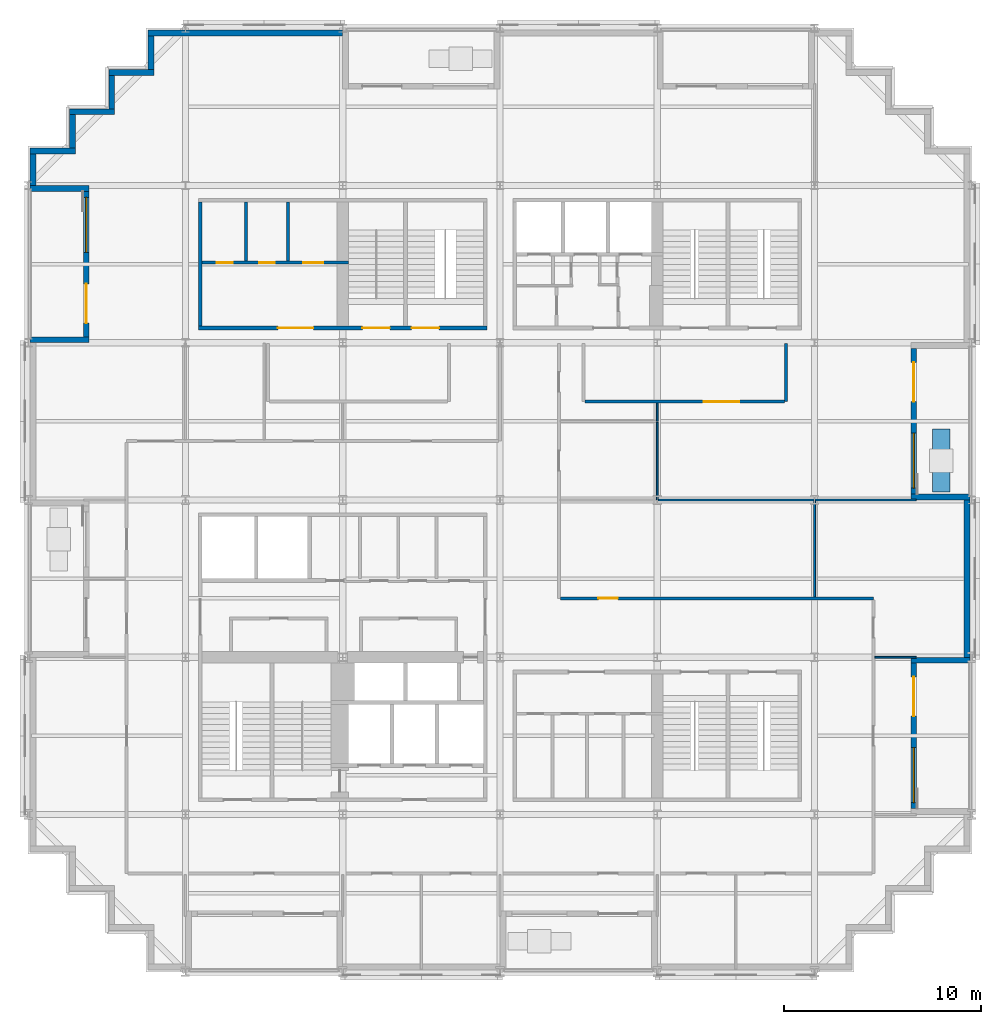
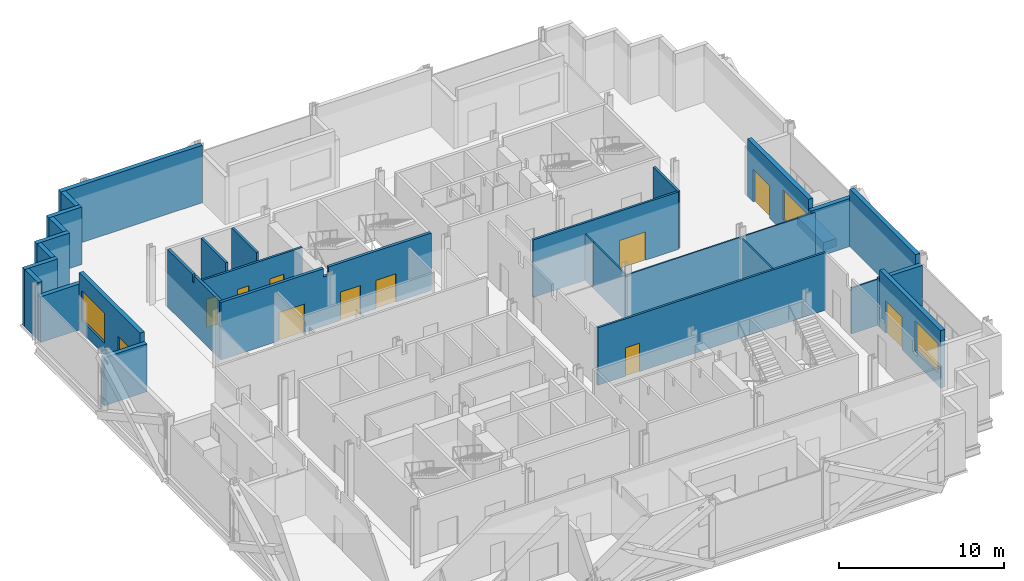
# One storey, part 8 of 14: 31 walls, 11 doors, 3 windows, 14 openings.
"""IFC4 building model written with IfcOpenShell, lengths in metres."""

import ifcopenshell
import ifcopenshell.guid

model = None  # the IFC model being written
_history = None  # IfcOwnerHistory: only IFC2X3 demands one
_inside = {}  # id of a spatial element -> (the spatial element, [elements in it])
_under = {}  # id of a project, library or spatial element -> (it, [spatial elements below it])
_declared = {}  # id of a project -> (the project, [libraries it declares])
_typed = {}  # id of a type object -> (the type object, [elements of that type])
_made_of = {}  # id of a material, layer set ... -> (it, [elements and type objects made of it])


def new_model(schema):
    """Start an empty IFC model of exactly this schema.

    Asked for "IFC4X3", IfcOpenShell would pick the latest addendum, in which some entities
    have other attributes; the version numbers below select the first issue.
    IFC2X3 requires an IfcOwnerHistory on every rooted entity: one is made here for all.
    """
    global model, _history
    if schema == "IFC4X3":
        model = ifcopenshell.file(schema_version=(4, 3, 0, 0))
    else:
        model = ifcopenshell.file(schema=schema)
    _inside.clear()
    _under.clear()
    _declared.clear()
    _typed.clear()
    _made_of.clear()
    _history = None
    if model.schema == "IFC2X3":
        org = make("IfcOrganization", Name="unknown")
        user = make(
            "IfcPersonAndOrganization",
            ThePerson=make("IfcPerson", FamilyName="unknown"),
            TheOrganization=org,
        )
        app = make(
            "IfcApplication",
            ApplicationDeveloper=org,
            Version="unknown",
            ApplicationFullName="unknown",
            ApplicationIdentifier="unknown",
        )
        _history = make(
            "IfcOwnerHistory",
            OwningUser=user,
            OwningApplication=app,
            ChangeAction="ADDED",
            CreationDate=0,
        )
    return model


def make(cls, **values):
    """One entity of the class cls with the attributes given. An attribute that is None is left unset."""
    return model.create_entity(
        cls, **{name: value for name, value in values.items() if value is not None}
    )


def rooted(cls, **values):
    """An entity with a GlobalId (a new one), such as an element, a storey or a relation."""
    return make(cls, GlobalId=ifcopenshell.guid.new(), OwnerHistory=_history, **values)


def si_unit(unit_type, name, prefix=None):
    """IfcSIUnit, for example si_unit("LENGTHUNIT", "METRE", prefix="MILLI")."""
    return make("IfcSIUnit", UnitType=unit_type, Prefix=prefix, Name=name)


def assignment(units):
    """IfcUnitAssignment: the units of a project."""
    return None if units is None else make("IfcUnitAssignment", Units=units)


def point(xyz):
    """IfcCartesianPoint."""
    return None if xyz is None else make("IfcCartesianPoint", Coordinates=xyz)


def direction(xyz):
    """IfcDirection."""
    return None if xyz is None else make("IfcDirection", DirectionRatios=xyz)


def frame(location, z_axis=None, x_axis=None):
    """IfcAxis2Placement3D, a coordinate frame: its origin and axes. An axis left out is left unset."""
    return make(
        "IfcAxis2Placement3D",
        Location=point(location),
        Axis=direction(z_axis),
        RefDirection=direction(x_axis),
    )


def frame_2d(location, x_axis=None):
    """IfcAxis2Placement2D, a coordinate frame in the plane: its origin and x axis."""
    return make(
        "IfcAxis2Placement2D", Location=point(location), RefDirection=direction(x_axis)
    )


def origin():
    """The frame at (0, 0, 0) with its axes left unset."""
    return frame((0.0, 0.0, 0.0))


def place(relative_to, where):
    """IfcLocalPlacement: puts the frame where relative to a parent placement (None: the world)."""
    return make(
        "IfcLocalPlacement", PlacementRelTo=relative_to, RelativePlacement=where
    )


def context(
    kind, dimensions, precision=None, world=None, true_north=None, identifier=None
):
    """IfcGeometricRepresentationContext, for example the 3D "Model" context."""
    return make(
        "IfcGeometricRepresentationContext",
        ContextIdentifier=identifier,
        ContextType=kind,
        CoordinateSpaceDimension=dimensions,
        Precision=precision,
        WorldCoordinateSystem=world,
        TrueNorth=true_north,
    )


def subcontext(parent, identifier, kind, view, scale=None):
    """IfcGeometricRepresentationSubContext, for example "Body" below "Model"."""
    return make(
        "IfcGeometricRepresentationSubContext",
        ContextIdentifier=identifier,
        ContextType=kind,
        ParentContext=parent,
        TargetScale=scale,
        TargetView=view,
    )


def project(units=None, contexts=None):
    """IfcProject with its units and contexts."""
    return rooted(
        "IfcProject",
        Name="project",
        RepresentationContexts=contexts,
        UnitsInContext=assignment(units),
    )


def spatial(cls, under=None, at=None, **own):
    """A site, building, storey or space (cls), placed at a placement, below another one or the project."""
    s = rooted(cls, ObjectPlacement=at, **own)
    if under is not None:
        _under.setdefault(under.id(), (under, []))[1].append(s)
    return s


def polyline(points):
    """IfcPolyline through the points."""
    return make("IfcPolyline", Points=[point(p) for p in points])


def profile(cls, at=None, kind="AREA", **sizes):
    """A parametric profile (cls). Its sizes go by their IFC names, for example OverallWidth=200.0."""
    return make(cls, ProfileType=kind, Position=at, **sizes)


def rectangle(**sizes):
    """IfcRectangleProfileDef."""
    return profile("IfcRectangleProfileDef", **sizes)


def outline(outer, holes=None, kind="AREA"):
    """IfcArbitraryClosedProfileDef: a profile drawn as a closed curve; with holes, ...WithVoids."""
    if holes is None:
        return make("IfcArbitraryClosedProfileDef", ProfileType=kind, OuterCurve=outer)
    return make(
        "IfcArbitraryProfileDefWithVoids",
        ProfileType=kind,
        OuterCurve=outer,
        InnerCurves=holes,
    )


def extrude(swept, where, along, depth):
    """IfcExtrudedAreaSolid: the profile swept, set in the frame where, extruded along a direction by depth."""
    return make(
        "IfcExtrudedAreaSolid",
        SweptArea=swept,
        Position=where,
        ExtrudedDirection=direction(along),
        Depth=depth,
    )


def shape(context_of_items, identifier, shape_type, items):
    """IfcShapeRepresentation: the items that make up one representation, for example the "Body"."""
    return make(
        "IfcShapeRepresentation",
        ContextOfItems=context_of_items,
        RepresentationIdentifier=identifier,
        RepresentationType=shape_type,
        Items=items,
    )


def material(Name=None, Category=None):
    """IfcMaterial."""
    return make("IfcMaterial", Name=Name, Category=Category)


def layer(
    of_material, thickness, ventilated=None, Name=None, Category=None, Priority=None
):
    """IfcMaterialLayer: one layer of a wall or slab, of a material (None: an air gap)."""
    return make(
        "IfcMaterialLayer",
        Material=of_material,
        LayerThickness=thickness,
        IsVentilated=ventilated,
        Name=Name,
        Category=Category,
        Priority=Priority,
    )


def layer_set(layers, Name=None):
    """IfcMaterialLayerSet."""
    return make("IfcMaterialLayerSet", MaterialLayers=layers, LayerSetName=Name)


def made_of(thing, what):
    """Note that an element or type object is made of a material, layer set ...; save() writes the relation."""
    if what is not None:
        _made_of.setdefault(what.id(), (what, []))[1].append(thing)
    return thing


def type_object(cls, material=None, **own):
    """A type object (cls), such as IfcWallType, which elements share."""
    return made_of(rooted(cls, **own), material)


def element(
    cls,
    number,
    at=None,
    inside=None,
    cuts=None,
    type_object=None,
    material=None,
    context=None,
    identifier="Body",
    shape_type=None,
    held_by="IfcProductDefinitionShape",
    body=None,
    shapes=None,
    **own,
):
    """One element of the class cls, such as IfcWall. Its Tag is "e" and its number.

    at: its placement. inside: the storey or other place that contains it. cuts: it is an
    opening in that element (IfcRelVoidsElement). A single representation is given by context,
    identifier, shape_type and body (its items); several are given by shapes. held_by: the class
    of the entity that holds the representations. save() writes the other relations.
    """
    e = rooted(cls, Tag="e%d" % number, ObjectPlacement=at, **own)
    if body is not None:
        shapes = [shape(context, identifier, shape_type, body)]
    if shapes is not None:
        e.Representation = make(held_by, Representations=shapes)
    if inside is not None:
        _inside.setdefault(inside.id(), (inside, []))[1].append(e)
    if cuts is not None:
        rooted(
            "IfcRelVoidsElement", RelatingBuildingElement=cuts, RelatedOpeningElement=e
        )
    if type_object is not None:
        _typed.setdefault(type_object.id(), (type_object, []))[1].append(e)
    return made_of(e, material)


def fill(opening, filler):
    """IfcRelFillsElement: the door or window that sits in an opening."""
    return rooted(
        "IfcRelFillsElement",
        RelatingOpeningElement=opening,
        RelatedBuildingElement=filler,
    )


def aggregate(whole, parts):
    """IfcRelAggregates: a whole, such as a stair, and the parts it consists of."""
    return rooted("IfcRelAggregates", RelatingObject=whole, RelatedObjects=parts)


def save(model, path):
    """Write the relations noted so far, then the file.

    IfcRelAggregates (storeys below a building ...), IfcRelContainedInSpatialStructure (elements
    in a storey), IfcRelDefinesByType, IfcRelAssociatesMaterial and IfcRelDeclares: one each for
    every whole, place, type object, material and project.
    """
    for whole, parts in _under.values():
        aggregate(whole, parts)
    for where, things in _inside.values():
        rooted(
            "IfcRelContainedInSpatialStructure",
            RelatedElements=things,
            RelatingStructure=where,
        )
    for kind, things in _typed.values():
        rooted("IfcRelDefinesByType", RelatedObjects=things, RelatingType=kind)
    for what, things in _made_of.values():
        rooted("IfcRelAssociatesMaterial", RelatedObjects=things, RelatingMaterial=what)
    for by, libraries in _declared.values():
        rooted("IfcRelDeclares", RelatingContext=by, RelatedDefinitions=libraries)
    model.write(path)


model = new_model("IFC4")

# Units and contexts
model_context = context("Model", 3, precision=1e-05, world=origin(), true_north=direction((0.0, 1.0)))
body_context = subcontext(model_context, "Body", "Model", "MODEL_VIEW")
ifc_project = project(units=[si_unit("LENGTHUNIT", "METRE"), si_unit("AREAUNIT", "SQUARE_METRE"), si_unit("VOLUMEUNIT", "CUBIC_METRE"), si_unit("PLANEANGLEUNIT", "RADIAN"), si_unit("MASSUNIT", "GRAM", prefix="KILO")], contexts=[model_context])

# Site, building, storey
site_placement = place(None, origin())
site = spatial("IfcSite", under=ifc_project, at=site_placement, CompositionType="ELEMENT")
building_placement = place(site_placement, origin())
building = spatial("IfcBuilding", under=site, at=building_placement, Name="Immortelle Media Tower", CompositionType="ELEMENT")
storey_placement = place(building_placement, frame((0.0, 0.0, 48.0)))
storey = spatial("IfcBuildingStorey", under=building, at=storey_placement, Name="L07", CompositionType="ELEMENT", Elevation=48.0)

# Wall, openings, doors
ifc_material_1 = material(Name="Fire-rated gypsum board", Category="gypsum")
ifc_layer_1 = layer(ifc_material_1, 0.02490234375)
ifc_material_2 = material(Name="Steel ASTM A653 SS Gr 50 stud frame with mineral wool", Category="steel")
ifc_layer_2 = layer(ifc_material_2, 0.10009765625)
ifc_layer_3 = layer(ifc_material_1, 0.02490234375)
ifc_layer_set_1 = layer_set([ifc_layer_1, ifc_layer_2, ifc_layer_3], Name="Steel ASTM A653 SS Gr 50 stud frame with mineral wool")
wall_type_1 = type_object("IfcWallType", Name="Core partition 150", PredefinedType="PARTITIONING", material=ifc_layer_set_1)
wall_1_placement = place(storey_placement, frame((8.85009765625, 36.074951171875, 0.0), z_axis=(0.0, 0.0, 1.0), x_axis=(1.0, 0.0, 0.0)))
wall_1 = element("IfcWall", 1, at=wall_1_placement, inside=storey, type_object=wall_type_1, Name="Core partition NW", PredefinedType="PARTITIONING", context=body_context, shape_type="SweptSolid", body=[
    extrude(rectangle(XDim=7.449951171875, YDim=0.14990234375, at=frame_2d((3.72509765625, 0.0))), origin(), (0.0, 0.0, 1.0), 3.632080078125),
])
opening_1_placement = place(wall_1_placement, frame((0.75, 0.0, 0.0)))
opening_1 = element("IfcOpeningElement", 2, at=opening_1_placement, cuts=wall_1, Name="Opening N2-K024", PredefinedType="OPENING", context=body_context, shape_type="SweptSolid", body=[
    extrude(rectangle(XDim=0.800048828125, YDim=2.10009765625, at=frame_2d((0.39990234375, 1.050048828125))), frame((0.0, 0.0849609375, 0.0), z_axis=(0.0, -1.0, 0.0), x_axis=(1.0, 0.0, 0.0)), (0.0, 0.0, 1.0), 0.169921875),
])
opening_2_placement = place(wall_1_placement, frame((2.89990234375, 0.0, 0.0)))
opening_2 = element("IfcOpeningElement", 3, at=opening_2_placement, cuts=wall_1, Name="Opening N2-K025", PredefinedType="OPENING", context=body_context, shape_type="SweptSolid", body=[
    extrude(rectangle(XDim=0.800048828125, YDim=2.10009765625, at=frame_2d((0.39990234375, 1.050048828125))), frame((0.0, 0.0849609375, 0.0), z_axis=(0.0, -1.0, 0.0), x_axis=(1.0, 0.0, 0.0)), (0.0, 0.0, 1.0), 0.169921875),
])
opening_3_placement = place(wall_1_placement, frame((5.14990234375, 0.0, 0.0)))
opening_3 = element("IfcOpeningElement", 4, at=opening_3_placement, cuts=wall_1, Name="Opening N2-K027", PredefinedType="OPENING", context=body_context, shape_type="SweptSolid", body=[
    extrude(rectangle(XDim=1.0, YDim=2.10009765625, at=frame_2d((0.5, 1.050048828125))), frame((0.0, 0.0849609375, 0.0), z_axis=(0.0, -1.0, 0.0), x_axis=(1.0, 0.0, 0.0)), (0.0, 0.0, 1.0), 0.169921875),
])
ifc_material_3 = material(Name="Timber", Category="wood")
door_type_1 = type_object("IfcDoorType", Name="Accessible toilet door 1000 x 2100", OperationType="NOTDEFINED", PredefinedType="NOTDEFINED", material=ifc_material_3)
door_1_placement = place(opening_3_placement, origin())
door_1 = element("IfcDoor", 5, at=door_1_placement, inside=storey, type_object=door_type_1, Name="Accessible toilet N2-K027", OperationType="SINGLE_SWING_RIGHT", OverallHeight=2.10009765625, OverallWidth=1.0, PredefinedType="NOTDEFINED", context=body_context, shape_type="SweptSolid", body=[
    extrude(rectangle(XDim=1.0, YDim=2.10009765625, at=frame_2d((0.5, 1.050048828125))), frame((0.0, 0.02490234375, 0.0), z_axis=(0.0, -1.0, 0.0), x_axis=(1.0, 0.0, 0.0)), (0.0, 0.0, 1.0), 0.050048828125),
])
fill(opening_3, door_1)
door_type_2 = type_object("IfcDoorType", Name="Toilet door 800 x 2100", OperationType="NOTDEFINED", PredefinedType="NOTDEFINED", material=ifc_material_3)
door_2_placement = place(opening_1_placement, origin())
door_2 = element("IfcDoor", 6, at=door_2_placement, inside=storey, type_object=door_type_2, Name="Toilet N2-K024", OperationType="SINGLE_SWING_RIGHT", OverallHeight=2.10009765625, OverallWidth=0.800048828125, PredefinedType="NOTDEFINED", context=body_context, shape_type="SweptSolid", body=[
    extrude(rectangle(XDim=0.800048828125, YDim=2.10009765625, at=frame_2d((0.39990234375, 1.050048828125))), frame((0.0, 0.02490234375, 0.0), z_axis=(0.0, -1.0, 0.0), x_axis=(1.0, 0.0, 0.0)), (0.0, 0.0, 1.0), 0.050048828125),
])
fill(opening_1, door_2)
door_3_placement = place(opening_2_placement, origin())
door_3 = element("IfcDoor", 7, at=door_3_placement, inside=storey, type_object=door_type_2, Name="Toilet N2-K025", OperationType="SINGLE_SWING_RIGHT", OverallHeight=2.10009765625, OverallWidth=0.800048828125, PredefinedType="NOTDEFINED", context=body_context, shape_type="SweptSolid", body=[
    extrude(rectangle(XDim=0.800048828125, YDim=2.10009765625, at=frame_2d((0.39990234375, 1.050048828125))), frame((0.0, 0.02490234375, 0.0), z_axis=(0.0, -1.0, 0.0), x_axis=(1.0, 0.0, 0.0)), (0.0, 0.0, 1.0), 0.050048828125),
])
fill(opening_2, door_3)

# Walls
for number, where, z_axis, x_axis, name in (
    (8, (11.074951171875, 36.14990234375, 0.0), (0.0, 0.0, 1.0), (0.0, 1.0, 0.0), "Core partition NW"),
    (9, (13.22509765625, 36.14990234375, 0.0), (0.0, 0.0, 1.0), (0.0, 1.0, 0.0), "Core partition NW"),
):
    element("IfcWall", number, at=place(storey_placement, frame(where, z_axis=z_axis, x_axis=x_axis)), inside=storey, type_object=wall_type_1, Name=name, PredefinedType="PARTITIONING", context=body_context, shape_type="SweptSolid", body=[
        extrude(rectangle(XDim=3.0, YDim=0.14990234375, at=frame_2d((1.5, 0.0))), origin(), (0.0, 0.0, 1.0), 4.25),
    ])
ifc_layer_4 = layer(ifc_material_1, 0.03759765625)
ifc_layer_5 = layer(ifc_material_2, 0.125)
ifc_layer_6 = layer(ifc_material_1, 0.03759765625)
ifc_layer_set_2 = layer_set([ifc_layer_4, ifc_layer_5, ifc_layer_6], Name="Steel ASTM A653 SS Gr 50 stud frame with mineral wool")
wall_type_2 = type_object("IfcWallType", Name="Core shaft wall 200", PredefinedType="PARTITIONING", material=ifc_layer_set_2)
wall_2_placement = place(storey_placement, frame((8.75, 32.85009765625, 0.0), z_axis=(0.0, 0.0, 1.0), x_axis=(0.0, 1.0, 0.0)))
element("IfcWall", 10, at=wall_2_placement, inside=storey, type_object=wall_type_2, Name="Core shaft wall NW", PredefinedType="PARTITIONING", context=body_context, shape_type="SweptSolid", body=[
    extrude(outline(polyline([(0.0, 0.0), (6.2998046875, 0.0), (6.300048828125, 4.25), (3.238525390625, 4.25), (3.237548828125, 3.7080078125), (3.0625, 3.7080078125), (3.0615234375, 4.25), (0.0, 4.25), (0.0, 0.0)])), frame((0.0, 0.10009765625, 0.0), z_axis=(0.0, -1.0, 0.0), x_axis=(1.0, 0.0, 0.0)), (0.0, 0.0, 1.0), 0.199951171875),
])

# Wall, opening, door
ifc_layer_7 = layer(ifc_material_1, 0.012451171875)
ifc_layer_8 = layer(ifc_material_2, 0.125)
ifc_layer_9 = layer(ifc_material_1, 0.012451171875)
ifc_layer_set_3 = layer_set([ifc_layer_7, ifc_layer_8, ifc_layer_9], Name="Steel ASTM A653 SS Gr 50 stud frame with mineral wool")
wall_type_3 = type_object("IfcWallType", Name="Corridor wall 150", PredefinedType="PARTITIONING", material=ifc_layer_set_3)
wall_3_placement = place(storey_placement, frame((27.074951171875, 19.0, 0.0), z_axis=(0.0, 0.0, 1.0), x_axis=(1.0, 0.0, 0.0)))
wall_3 = element("IfcWall", 11, at=wall_3_placement, inside=storey, type_object=wall_type_3, Name="Partition L07-013", PredefinedType="PARTITIONING", context=body_context, shape_type="SweptSolid", body=[
    extrude(rectangle(XDim=15.925048828125, YDim=0.14990234375, at=frame_2d((7.96240234375, 0.0))), origin(), (0.0, 0.0, 1.0), 4.25),
])
opening_4_placement = place(wall_3_placement, frame((1.925048828125, 0.0, 0.0)))
opening_4 = element("IfcOpeningElement", 12, at=opening_4_placement, cuts=wall_3, Name="Opening N2-F012", PredefinedType="OPENING", context=body_context, shape_type="SweptSolid", body=[
    extrude(rectangle(XDim=1.0, YDim=2.10009765625, at=frame_2d((0.5, 1.050048828125))), frame((0.0, 0.0849609375, 0.0), z_axis=(0.0, -1.0, 0.0), x_axis=(1.0, 0.0, 0.0)), (0.0, 0.0, 1.0), 0.169921875),
])
ifc_material_4 = material(Name="Timber veneered door leaf, galvanised steel frame ASTM A653", Category="steel")
door_type_3 = type_object("IfcDoorType", Name="Room door 1000 x 2100", OperationType="NOTDEFINED", PredefinedType="DOOR", material=ifc_material_4)
door_4_placement = place(opening_4_placement, origin())
door_4 = element("IfcDoor", 13, at=door_4_placement, inside=storey, type_object=door_type_3, Name="Door N2-F012", OperationType="SINGLE_SWING_LEFT", OverallHeight=2.10009765625, OverallWidth=1.0, PredefinedType="DOOR", context=body_context, shape_type="SweptSolid", body=[
    extrude(rectangle(XDim=1.0, YDim=2.10009765625, at=frame_2d((0.5, 1.050048828125))), frame((0.0, 0.02490234375, 0.0), z_axis=(0.0, -1.0, 0.0), x_axis=(1.0, 0.0, 0.0)), (0.0, 0.0, 1.0), 0.050048828125),
])
fill(opening_4, door_4)

wall_4_placement = place(storey_placement, frame((28.324951171875, 29.0, 0.0), z_axis=(0.0, 0.0, 1.0), x_axis=(1.0, 0.0, 0.0)))
wall_4 = element("IfcWall", 14, at=wall_4_placement, inside=storey, type_object=wall_type_3, Name="Partition L07-032", PredefinedType="PARTITIONING", context=body_context, shape_type="SweptSolid", body=[
    extrude(rectangle(XDim=10.150146484375, YDim=0.14990234375, at=frame_2d((5.0751953125, 0.0))), origin(), (0.0, 0.0, 1.0), 4.25),
])
opening_5_placement = place(wall_4_placement, frame((6.050048828125, 0.0, 0.0)))
opening_5 = element("IfcOpeningElement", 15, at=opening_5_placement, cuts=wall_4, Name="Opening N2-F018", PredefinedType="OPENING", context=body_context, shape_type="SweptSolid", body=[
    extrude(rectangle(XDim=1.800048828125, YDim=2.10009765625, at=frame_2d((0.89990234375, 1.050048828125))), frame((0.0, 0.0849609375, 0.0), z_axis=(0.0, -1.0, 0.0), x_axis=(1.0, 0.0, 0.0)), (0.0, 0.0, 1.0), 0.169921875),
])
door_type_4 = type_object("IfcDoorType", Name="Room door 1800 x 2100", OperationType="DOUBLE_DOOR_SINGLE_SWING", PredefinedType="DOOR", material=ifc_material_4)
door_5_placement = place(opening_5_placement, origin())
door_5 = element("IfcDoor", 16, at=door_5_placement, inside=storey, type_object=door_type_4, Name="Door N2-F018", OperationType="DOUBLE_DOOR_SINGLE_SWING", OverallHeight=2.10009765625, OverallWidth=1.800048828125, PredefinedType="DOOR", context=body_context, shape_type="SweptSolid", body=[
    extrude(rectangle(XDim=1.800048828125, YDim=2.10009765625, at=frame_2d((0.89990234375, 1.050048828125))), frame((0.0, 0.02490234375, 0.0), z_axis=(0.0, -1.0, 0.0), x_axis=(1.0, 0.0, 0.0)), (0.0, 0.0, 1.0), 0.050048828125),
])
fill(opening_5, door_5)

# Walls
wall_5_placement = place(storey_placement, frame((38.550048828125, 29.0, 0.0), z_axis=(0.0, 0.0, 1.0), x_axis=(0.0, 1.0, 0.0)))
element("IfcWall", 17, at=wall_5_placement, inside=storey, type_object=wall_type_3, Name="Partition L07-034", PredefinedType="PARTITIONING", context=body_context, shape_type="SweptSolid", body=[
    extrude(rectangle(XDim=2.969970703125, YDim=0.14990234375, at=frame_2d((1.48486328125, 0.0))), origin(), (0.0, 0.0, 1.0), 4.25),
])
ifc_material_5 = material(Name="Pale aluminium cladding panel", Category="aluminium")
ifc_layer_10 = layer(ifc_material_5, 0.030029296875)
ifc_layer_11 = layer(ifc_material_2, 0.257568359375)
ifc_material_6 = material(Name="Moisture-resistant gypsum board", Category="gypsum")
ifc_layer_12 = layer(ifc_material_6, 0.012451171875)
ifc_layer_set_4 = layer_set([ifc_layer_10, ifc_layer_11, ifc_layer_12], Name="Steel ASTM A653 SS Gr 50 stud frame with mineral wool")
wall_type_4 = type_object("IfcWallType", Name="Facade wall 300", PredefinedType="SOLIDWALL", material=ifc_layer_set_4)
wall_6_placement = place(storey_placement, frame((0.25, 41.60009765625, 0.0), z_axis=(0.0, 0.0, 1.0), x_axis=(0.0, -1.0, 0.0)))
element("IfcWall", 18, at=wall_6_placement, inside=storey, type_object=wall_type_4, Name="Facade wall L07 W0", PredefinedType="SOLIDWALL", context=body_context, shape_type="SweptSolid", body=[
    extrude(rectangle(XDim=1.60009765625, YDim=0.300048828125, at=frame_2d((0.800048828125, 0.0))), origin(), (0.0, 0.0, 1.0), 4.25),
])

# Wall, openings, door, window
wall_7_placement = place(storey_placement, frame((2.949951171875, 39.699951171875, 0.0), z_axis=(0.0, 0.0, 1.0), x_axis=(0.0, -1.0, 0.0)))
wall_7 = element("IfcWall", 19, at=wall_7_placement, inside=storey, type_object=wall_type_4, Name="Loggia wall L07 W0", PredefinedType="SOLIDWALL", context=body_context, shape_type="SweptSolid", body=[
    extrude(rectangle(XDim=7.39990234375, YDim=0.300048828125, at=frame_2d((3.699951171875, 0.0))), origin(), (0.0, 0.0, 1.0), 4.25),
])
opening_6_placement = place(wall_7_placement, frame((0.300048828125, 0.0, 0.89990234375)))
opening_6 = element("IfcOpeningElement", 20, at=opening_6_placement, cuts=wall_7, Name="Opening W1", PredefinedType="OPENING", context=body_context, shape_type="SweptSolid", body=[
    extrude(rectangle(XDim=2.800048828125, YDim=2.199951171875, at=frame_2d((1.39990234375, 1.10009765625))), frame((0.0, 0.159912109375, 0.0), z_axis=(0.0, -1.0, 0.0), x_axis=(1.0, 0.0, 0.0)), (0.0, 0.0, 1.0), 0.320068359375),
])
opening_7_placement = place(wall_7_placement, frame((4.699951171875, 0.0, 0.0)))
opening_7 = element("IfcOpeningElement", 21, at=opening_7_placement, cuts=wall_7, Name="Opening N2-E001", PredefinedType="OPENING", context=body_context, shape_type="SweptSolid", body=[
    extrude(rectangle(XDim=2.0, YDim=2.39990234375, at=frame_2d((1.0, 1.199951171875))), frame((0.0, 0.159912109375, 0.0), z_axis=(0.0, -1.0, 0.0), x_axis=(1.0, 0.0, 0.0)), (0.0, 0.0, 1.0), 0.320068359375),
])
ifc_material_7 = material(Name="Aluminium frame, glazed leaves", Category="aluminium")
door_type_5 = type_object("IfcDoorType", Name="Loggia door 2000 x 2400", OperationType="DOUBLE_DOOR_SINGLE_SWING", PredefinedType="DOOR", material=ifc_material_7)
door_6_placement = place(opening_7_placement, origin())
door_6 = element("IfcDoor", 22, at=door_6_placement, inside=storey, type_object=door_type_5, Name="Door N2-E001", OperationType="DOUBLE_DOOR_SINGLE_SWING", OverallHeight=2.39990234375, OverallWidth=2.0, PredefinedType="DOOR", context=body_context, shape_type="SweptSolid", body=[
    extrude(rectangle(XDim=2.0, YDim=2.39990234375, at=frame_2d((1.0, 1.199951171875))), frame((0.0, 0.02490234375, 0.0), z_axis=(0.0, -1.0, 0.0), x_axis=(1.0, 0.0, 0.0)), (0.0, 0.0, 1.0), 0.050048828125),
])
fill(opening_7, door_6)
ifc_material_8 = material(Name="Aluminium frame", Category="aluminium")
window_type = type_object("IfcWindowType", Name="Window 2800 x 2200", PartitioningType="SINGLE_PANEL", PredefinedType="WINDOW", material=ifc_material_8)
window_1_placement = place(opening_6_placement, origin())
window_1 = element("IfcWindow", 23, at=window_1_placement, inside=storey, type_object=window_type, Name="Window L07 L07-R0-B0", OverallHeight=2.199951171875, OverallWidth=2.800048828125, PartitioningType="SINGLE_PANEL", PredefinedType="WINDOW", context=body_context, shape_type="SweptSolid", body=[
    extrude(rectangle(XDim=2.800048828125, YDim=2.199951171875, at=frame_2d((1.39990234375, 1.10009765625))), frame((0.0, 0.030029296875, 0.0), z_axis=(0.0, -1.0, 0.0), x_axis=(1.0, 0.0, 0.0)), (0.0, 0.0, 1.0), 0.06005859375),
])
fill(opening_6, window_1)

# Walls
wall_8_placement = place(storey_placement, frame((0.10009765625, 39.85009765625, 0.0), z_axis=(0.0, 0.0, 1.0), x_axis=(1.0, 0.0, 0.0)))
element("IfcWall", 24, at=wall_8_placement, inside=storey, type_object=wall_type_4, Name="Loggia cheek wall L07 W", PredefinedType="SOLIDWALL", context=body_context, shape_type="SweptSolid", body=[
    extrude(rectangle(XDim=3.0, YDim=0.300048828125, at=frame_2d((1.5, 0.0))), origin(), (0.0, 0.0, 1.0), 3.389892578125),
])
wall_9_placement = place(storey_placement, frame((0.10009765625, 32.14990234375, 0.0), z_axis=(0.0, 0.0, 1.0), x_axis=(1.0, 0.0, 0.0)))
element("IfcWall", 25, at=wall_9_placement, inside=storey, type_object=wall_type_4, Name="Loggia cheek wall L07 W", PredefinedType="SOLIDWALL", context=body_context, shape_type="SweptSolid", body=[
    extrude(rectangle(XDim=3.0, YDim=0.300048828125, at=frame_2d((1.5, 0.0))), origin(), (0.0, 0.0, 1.0), 3.552978515625),
])

# Wall, openings, door, window
wall_10_placement = place(storey_placement, frame((45.050048828125, 8.300048828125, 0.0), z_axis=(0.0, 0.0, 1.0), x_axis=(0.0, 1.0, 0.0)))
wall_10 = element("IfcWall", 26, at=wall_10_placement, inside=storey, type_object=wall_type_4, Name="Loggia wall L07 E14", PredefinedType="SOLIDWALL", context=body_context, shape_type="SweptSolid", body=[
    extrude(rectangle(XDim=7.39990234375, YDim=0.300048828125, at=frame_2d((3.699951171875, 0.0))), origin(), (0.0, 0.0, 1.0), 4.25),
])
opening_8_placement = place(wall_10_placement, frame((0.300048828125, 0.0, 0.89990234375)))
opening_8 = element("IfcOpeningElement", 27, at=opening_8_placement, cuts=wall_10, Name="Opening W1", PredefinedType="OPENING", context=body_context, shape_type="SweptSolid", body=[
    extrude(rectangle(XDim=2.800048828125, YDim=2.199951171875, at=frame_2d((1.39990234375, 1.10009765625))), frame((0.0, 0.159912109375, 0.0), z_axis=(0.0, -1.0, 0.0), x_axis=(1.0, 0.0, 0.0)), (0.0, 0.0, 1.0), 0.320068359375),
])
opening_9_placement = place(wall_10_placement, frame((4.699951171875, 0.0, 0.0)))
opening_9 = element("IfcOpeningElement", 28, at=opening_9_placement, cuts=wall_10, Name="Opening N2-E005", PredefinedType="OPENING", context=body_context, shape_type="SweptSolid", body=[
    extrude(rectangle(XDim=2.0, YDim=2.39990234375, at=frame_2d((1.0, 1.199951171875))), frame((0.0, 0.159912109375, 0.0), z_axis=(0.0, -1.0, 0.0), x_axis=(1.0, 0.0, 0.0)), (0.0, 0.0, 1.0), 0.320068359375),
])
door_7_placement = place(opening_9_placement, origin())
door_7 = element("IfcDoor", 29, at=door_7_placement, inside=storey, type_object=door_type_5, Name="Door N2-E005", OperationType="DOUBLE_DOOR_SINGLE_SWING", OverallHeight=2.39990234375, OverallWidth=2.0, PredefinedType="DOOR", context=body_context, shape_type="SweptSolid", body=[
    extrude(rectangle(XDim=2.0, YDim=2.39990234375, at=frame_2d((1.0, 1.199951171875))), frame((0.0, 0.02490234375, 0.0), z_axis=(0.0, -1.0, 0.0), x_axis=(1.0, 0.0, 0.0)), (0.0, 0.0, 1.0), 0.050048828125),
])
fill(opening_9, door_7)
window_2_placement = place(opening_8_placement, origin())
window_2 = element("IfcWindow", 30, at=window_2_placement, inside=storey, type_object=window_type, Name="Window L07 L07-R14-B0", OverallHeight=2.199951171875, OverallWidth=2.800048828125, PartitioningType="SINGLE_PANEL", PredefinedType="WINDOW", context=body_context, shape_type="SweptSolid", body=[
    extrude(rectangle(XDim=2.800048828125, YDim=2.199951171875, at=frame_2d((1.39990234375, 1.10009765625))), frame((0.0, 0.030029296875, 0.0), z_axis=(0.0, -1.0, 0.0), x_axis=(1.0, 0.0, 0.0)), (0.0, 0.0, 1.0), 0.06005859375),
])
fill(opening_8, window_2)

# Walls
wall_11_placement = place(storey_placement, frame((47.89990234375, 15.85009765625, 0.0), z_axis=(0.0, 0.0, 1.0), x_axis=(-1.0, 0.0, 0.0)))
element("IfcWall", 31, at=wall_11_placement, inside=storey, type_object=wall_type_4, Name="Loggia cheek wall L07 E", PredefinedType="SOLIDWALL", context=body_context, shape_type="SweptSolid", body=[
    extrude(rectangle(XDim=3.0, YDim=0.300048828125, at=frame_2d((1.5, 0.0))), origin(), (0.0, 0.0, 1.0), 3.552978515625),
])
wall_12_placement = place(storey_placement, frame((47.75, 16.0, 0.0), z_axis=(0.0, 0.0, 1.0), x_axis=(0.0, 1.0, 0.0)))
element("IfcWall", 32, at=wall_12_placement, inside=storey, type_object=wall_type_4, Name="Facade wall L07 E14", PredefinedType="SOLIDWALL", context=body_context, shape_type="SweptSolid", body=[
    extrude(rectangle(XDim=8.0, YDim=0.300048828125, at=frame_2d((4.0, 0.0))), origin(), (0.0, 0.0, 1.0), 4.25),
])

# Wall, openings, door, window
wall_13_placement = place(storey_placement, frame((45.050048828125, 24.300048828125, 0.0), z_axis=(0.0, 0.0, 1.0), x_axis=(0.0, 1.0, 0.0)))
wall_13 = element("IfcWall", 33, at=wall_13_placement, inside=storey, type_object=wall_type_4, Name="Loggia wall L07 E14", PredefinedType="SOLIDWALL", context=body_context, shape_type="SweptSolid", body=[
    extrude(rectangle(XDim=7.39990234375, YDim=0.300048828125, at=frame_2d((3.699951171875, 0.0))), origin(), (0.0, 0.0, 1.0), 4.25),
])
opening_10_placement = place(wall_13_placement, frame((0.300048828125, 0.0, 0.89990234375)))
opening_10 = element("IfcOpeningElement", 34, at=opening_10_placement, cuts=wall_13, Name="Opening W1", PredefinedType="OPENING", context=body_context, shape_type="SweptSolid", body=[
    extrude(rectangle(XDim=2.800048828125, YDim=2.199951171875, at=frame_2d((1.39990234375, 1.10009765625))), frame((0.0, 0.159912109375, 0.0), z_axis=(0.0, -1.0, 0.0), x_axis=(1.0, 0.0, 0.0)), (0.0, 0.0, 1.0), 0.320068359375),
])
opening_11_placement = place(wall_13_placement, frame((4.699951171875, 0.0, 0.0)))
opening_11 = element("IfcOpeningElement", 35, at=opening_11_placement, cuts=wall_13, Name="Opening N2-E006", PredefinedType="OPENING", context=body_context, shape_type="SweptSolid", body=[
    extrude(rectangle(XDim=2.0, YDim=2.39990234375, at=frame_2d((1.0, 1.199951171875))), frame((0.0, 0.159912109375, 0.0), z_axis=(0.0, -1.0, 0.0), x_axis=(1.0, 0.0, 0.0)), (0.0, 0.0, 1.0), 0.320068359375),
])
door_8_placement = place(opening_11_placement, origin())
door_8 = element("IfcDoor", 36, at=door_8_placement, inside=storey, type_object=door_type_5, Name="Door N2-E006", OperationType="DOUBLE_DOOR_SINGLE_SWING", OverallHeight=2.39990234375, OverallWidth=2.0, PredefinedType="DOOR", context=body_context, shape_type="SweptSolid", body=[
    extrude(rectangle(XDim=2.0, YDim=2.39990234375, at=frame_2d((1.0, 1.199951171875))), frame((0.0, 0.02490234375, 0.0), z_axis=(0.0, -1.0, 0.0), x_axis=(1.0, 0.0, 0.0)), (0.0, 0.0, 1.0), 0.050048828125),
])
fill(opening_11, door_8)
window_3_placement = place(opening_10_placement, origin())
window_3 = element("IfcWindow", 37, at=window_3_placement, inside=storey, type_object=window_type, Name="Window L07 L07-R14-B2", OverallHeight=2.199951171875, OverallWidth=2.800048828125, PartitioningType="SINGLE_PANEL", PredefinedType="WINDOW", context=body_context, shape_type="SweptSolid", body=[
    extrude(rectangle(XDim=2.800048828125, YDim=2.199951171875, at=frame_2d((1.39990234375, 1.10009765625))), frame((0.0, 0.030029296875, 0.0), z_axis=(0.0, -1.0, 0.0), x_axis=(1.0, 0.0, 0.0)), (0.0, 0.0, 1.0), 0.06005859375),
])
fill(opening_10, window_3)

# Walls
wall_14_placement = place(storey_placement, frame((47.89990234375, 24.14990234375, 0.0), z_axis=(0.0, 0.0, 1.0), x_axis=(-1.0, 0.0, 0.0)))
element("IfcWall", 38, at=wall_14_placement, inside=storey, type_object=wall_type_4, Name="Loggia cheek wall L07 E", PredefinedType="SOLIDWALL", context=body_context, shape_type="SweptSolid", body=[
    extrude(rectangle(XDim=3.0, YDim=0.300048828125, at=frame_2d((1.5, 0.0))), origin(), (0.0, 0.0, 1.0), 3.552978515625),
])
wall_15_placement = place(storey_placement, frame((16.0, 47.75, 0.0), z_axis=(0.0, 0.0, 1.0), x_axis=(-1.0, 0.0, 0.0)))
element("IfcWall", 39, at=wall_15_placement, inside=storey, type_object=wall_type_4, Name="Facade wall L07 N21", PredefinedType="SOLIDWALL", context=body_context, shape_type="SweptSolid", body=[
    extrude(rectangle(XDim=9.89990234375, YDim=0.300048828125, at=frame_2d((4.949951171875, 0.0))), origin(), (0.0, 0.0, 1.0), 4.25),
])
wall_16_placement = place(storey_placement, frame((6.25, 47.60009765625, 0.0), z_axis=(0.0, 0.0, 1.0), x_axis=(0.0, -1.0, 0.0)))
element("IfcWall", 40, at=wall_16_placement, inside=storey, type_object=wall_type_4, Name="Facade wall L07 W22", PredefinedType="SOLIDWALL", context=body_context, shape_type="SweptSolid", body=[
    extrude(rectangle(XDim=1.7001953125, YDim=0.300048828125, at=frame_2d((0.85009765625, 0.0))), origin(), (0.0, 0.0, 1.0), 4.25),
])
wall_17_placement = place(storey_placement, frame((6.39990234375, 45.75, 0.0), z_axis=(0.0, 0.0, 1.0), x_axis=(-1.0, 0.0, 0.0)))
element("IfcWall", 41, at=wall_17_placement, inside=storey, type_object=wall_type_4, Name="Facade wall L07 N23", PredefinedType="SOLIDWALL", context=body_context, shape_type="SweptSolid", body=[
    extrude(rectangle(XDim=2.2998046875, YDim=0.300048828125, at=frame_2d((1.14990234375, 0.0))), origin(), (0.0, 0.0, 1.0), 4.25),
])
wall_18_placement = place(storey_placement, frame((4.25, 45.60009765625, 0.0), z_axis=(0.0, 0.0, 1.0), x_axis=(0.0, -1.0, 0.0)))
element("IfcWall", 42, at=wall_18_placement, inside=storey, type_object=wall_type_4, Name="Facade wall L07 W24", PredefinedType="SOLIDWALL", context=body_context, shape_type="SweptSolid", body=[
    extrude(rectangle(XDim=1.7001953125, YDim=0.300048828125, at=frame_2d((0.85009765625, 0.0))), origin(), (0.0, 0.0, 1.0), 4.25),
])
wall_19_placement = place(storey_placement, frame((4.39990234375, 43.75, 0.0), z_axis=(0.0, 0.0, 1.0), x_axis=(-1.0, 0.0, 0.0)))
element("IfcWall", 43, at=wall_19_placement, inside=storey, type_object=wall_type_4, Name="Facade wall L07 N25", PredefinedType="SOLIDWALL", context=body_context, shape_type="SweptSolid", body=[
    extrude(rectangle(XDim=2.2998046875, YDim=0.300048828125, at=frame_2d((1.14990234375, 0.0))), origin(), (0.0, 0.0, 1.0), 4.25),
])
wall_20_placement = place(storey_placement, frame((2.25, 43.60009765625, 0.0), z_axis=(0.0, 0.0, 1.0), x_axis=(0.0, -1.0, 0.0)))
element("IfcWall", 44, at=wall_20_placement, inside=storey, type_object=wall_type_4, Name="Facade wall L07 W26", PredefinedType="SOLIDWALL", context=body_context, shape_type="SweptSolid", body=[
    extrude(rectangle(XDim=1.7001953125, YDim=0.300048828125, at=frame_2d((0.85009765625, 0.0))), origin(), (0.0, 0.0, 1.0), 4.25),
])
wall_21_placement = place(storey_placement, frame((2.39990234375, 41.75, 0.0), z_axis=(0.0, 0.0, 1.0), x_axis=(-1.0, 0.0, 0.0)))
element("IfcWall", 45, at=wall_21_placement, inside=storey, type_object=wall_type_4, Name="Facade wall L07 N27", PredefinedType="SOLIDWALL", context=body_context, shape_type="SweptSolid", body=[
    extrude(rectangle(XDim=2.2998046875, YDim=0.300048828125, at=frame_2d((1.14990234375, 0.0))), origin(), (0.0, 0.0, 1.0), 4.25),
])
ifc_material_9 = material(Name="Gypsum board", Category="gypsum")
ifc_layer_13 = layer(ifc_material_9, 0.012451171875)
ifc_layer_14 = layer(ifc_material_2, 0.074951171875)
ifc_layer_15 = layer(ifc_material_9, 0.012451171875)
ifc_layer_set_5 = layer_set([ifc_layer_13, ifc_layer_14, ifc_layer_15], Name="Steel ASTM A653 SS Gr 50 stud frame with mineral wool")
wall_type_5 = type_object("IfcWallType", Name="Partition 100", PredefinedType="PARTITIONING", material=ifc_layer_set_5)
wall_22_placement = place(storey_placement, frame((43.074951171875, 16.0, 0.0), z_axis=(0.0, 0.0, 1.0), x_axis=(1.0, 0.0, 0.0)))
element("IfcWall", 46, at=wall_22_placement, inside=storey, type_object=wall_type_5, Name="Partition L07-012", PredefinedType="PARTITIONING", context=body_context, shape_type="SweptSolid", body=[
    extrude(rectangle(XDim=2.094970703125, YDim=0.10009765625, at=frame_2d((1.04736328125, 0.0))), origin(), (0.0, 0.0, 1.0), 3.39111328125),
])
wall_23_placement = place(storey_placement, frame((40.0, 19.074951171875, 0.0), z_axis=(0.0, 0.0, 1.0), x_axis=(0.0, 1.0, 0.0)))
element("IfcWall", 47, at=wall_23_placement, inside=storey, type_object=wall_type_5, Name="Partition L07-015", PredefinedType="PARTITIONING", context=body_context, shape_type="SweptSolid", body=[
    extrude(rectangle(XDim=4.875, YDim=0.10009765625, at=frame_2d((2.4375, 0.0))), origin(), (0.0, 0.0, 1.0), 3.39111328125),
])
wall_24_placement = place(storey_placement, frame((32.050048828125, 24.0, 0.0), z_axis=(0.0, 0.0, 1.0), x_axis=(1.0, 0.0, 0.0)))
element("IfcWall", 48, at=wall_24_placement, inside=storey, type_object=wall_type_5, Name="Partition L07-019", PredefinedType="PARTITIONING", context=body_context, shape_type="SweptSolid", body=[
    extrude(rectangle(XDim=7.949951171875, YDim=0.10009765625, at=frame_2d((3.97509765625, 0.0))), origin(), (0.0, 0.0, 1.0), 3.39111328125),
])
wall_25_placement = place(storey_placement, frame((32.0, 24.0, 0.0), z_axis=(0.0, 0.0, 1.0), x_axis=(0.0, 1.0, 0.0)))
element("IfcWall", 49, at=wall_25_placement, inside=storey, type_object=wall_type_5, Name="Partition L07-020", PredefinedType="PARTITIONING", context=body_context, shape_type="SweptSolid", body=[
    extrude(rectangle(XDim=3.949951171875, YDim=0.10009765625, at=frame_2d((1.97509765625, 0.0))), origin(), (0.0, 0.0, 1.0), 3.39111328125),
])
wall_26_placement = place(storey_placement, frame((40.0, 24.0, 0.0), z_axis=(0.0, 0.0, 1.0), x_axis=(1.0, 0.0, 0.0)))
element("IfcWall", 50, at=wall_26_placement, inside=storey, type_object=wall_type_5, Name="Partition L07-021", PredefinedType="PARTITIONING", context=body_context, shape_type="SweptSolid", body=[
    extrude(rectangle(XDim=5.169921875, YDim=0.10009765625, at=frame_2d((2.5849609375, 0.0))), origin(), (0.0, 0.0, 1.0), 3.39111328125),
])
wall_27_placement = place(storey_placement, frame((32.0, 28.0, 0.0), z_axis=(0.0, 0.0, 1.0), x_axis=(0.0, 1.0, 0.0)))
element("IfcWall", 51, at=wall_27_placement, inside=storey, type_object=wall_type_5, Name="Partition L07-028", PredefinedType="PARTITIONING", context=body_context, shape_type="SweptSolid", body=[
    extrude(rectangle(XDim=0.925048828125, YDim=0.10009765625, at=frame_2d((0.46240234375, 0.0))), origin(), (0.0, 0.0, 1.0), 3.39111328125),
])
ifc_layer_16 = layer(ifc_material_5, 0.0029296875)
ifc_material_10 = material(Name="Steel ASTM A572 Gr 50 planter shell", Category="steel")
ifc_layer_17 = layer(ifc_material_10, 0.011962890625)
ifc_material_11 = material(Name="Planting substrate", Category="soil")
ifc_layer_18 = layer(ifc_material_11, 0.873046875)
ifc_layer_19 = layer(ifc_material_10, 0.011962890625)
ifc_layer_set_6 = layer_set([ifc_layer_16, ifc_layer_17, ifc_layer_18, ifc_layer_19], Name="Steel ASTM A572 Gr 50 planter shell")
wall_type_6 = type_object("IfcWallType", Name="Planter wall 900", PredefinedType="SOLIDWALL", material=ifc_layer_set_6)
wall_28_placement = place(storey_placement, frame((46.449951171875, 24.39990234375, 0.0), z_axis=(0.0, 0.0, 1.0), x_axis=(0.0, 1.0, 0.0)))
element("IfcWall", 52, at=wall_28_placement, inside=storey, type_object=wall_type_6, Name="Planter L07 E2", PredefinedType="SOLIDWALL", context=body_context, shape_type="SweptSolid", body=[
    extrude(rectangle(XDim=3.2001953125, YDim=0.89990234375, at=frame_2d((1.60009765625, 0.0))), origin(), (0.0, 0.0, 1.0), 0.60009765625),
])

# Wall, openings, doors
ifc_material_12 = material(Name="Concrete C60", Category="concrete")
ifc_layer_20 = layer(ifc_material_12, 0.199951171875)
ifc_layer_set_7 = layer_set([ifc_layer_20], Name="Concrete C60")
wall_type_7 = type_object("IfcWallType", Name="Stair shaft wall 200", PredefinedType="PARTITIONING", material=ifc_layer_set_7)
wall_29_placement = place(storey_placement, frame((8.64990234375, 32.75, 0.0), z_axis=(0.0, 0.0, 1.0), x_axis=(1.0, 0.0, 0.0)))
wall_29 = element("IfcWall", 53, at=wall_29_placement, inside=storey, type_object=wall_type_7, Name="Stair shaft wall NW", PredefinedType="PARTITIONING", context=body_context, shape_type="SweptSolid", body=[
    extrude(outline(polyline([(0.0, 0.0), (14.7001953125, 0.0), (14.699951171875, 4.25), (7.51708984375, 4.25), (7.51611328125, 3.632080078125), (7.18408203125, 3.632080078125), (7.18310546875, 4.25), (0.0, 4.25), (0.0, 0.0)])), frame((0.0, 0.10009765625, 0.0), z_axis=(0.0, -1.0, 0.0), x_axis=(1.0, 0.0, 0.0)), (0.0, 0.0, 1.0), 0.199951171875),
])
opening_12_placement = place(wall_29_placement, frame((4.050048828125, 0.0, 0.0)))
opening_12 = element("IfcOpeningElement", 54, at=opening_12_placement, cuts=wall_29, Name="Opening N2-K026", PredefinedType="OPENING", context=body_context, shape_type="SweptSolid", body=[
    extrude(rectangle(XDim=1.800048828125, YDim=2.10009765625, at=frame_2d((0.89990234375, 1.050048828125))), frame((0.0, 0.10986328125, 0.0), z_axis=(0.0, -1.0, 0.0), x_axis=(1.0, 0.0, 0.0)), (0.0, 0.0, 1.0), 0.219970703125),
])
opening_13_placement = place(wall_29_placement, frame((8.35009765625, 0.0, 0.0)))
opening_13 = element("IfcOpeningElement", 55, at=opening_13_placement, cuts=wall_29, Name="Opening N2-K028", PredefinedType="OPENING", context=body_context, shape_type="SweptSolid", body=[
    extrude(rectangle(XDim=1.39990234375, YDim=2.10009765625, at=frame_2d((0.699951171875, 1.050048828125))), frame((0.0, 0.10986328125, 0.0), z_axis=(0.0, -1.0, 0.0), x_axis=(1.0, 0.0, 0.0)), (0.0, 0.0, 1.0), 0.219970703125),
])
opening_14_placement = place(wall_29_placement, frame((10.85009765625, 0.0, 0.0)))
opening_14 = element("IfcOpeningElement", 56, at=opening_14_placement, cuts=wall_29, Name="Opening N2-K029", PredefinedType="OPENING", context=body_context, shape_type="SweptSolid", body=[
    extrude(rectangle(XDim=1.39990234375, YDim=2.10009765625, at=frame_2d((0.699951171875, 1.050048828125))), frame((0.0, 0.10986328125, 0.0), z_axis=(0.0, -1.0, 0.0), x_axis=(1.0, 0.0, 0.0)), (0.0, 0.0, 1.0), 0.219970703125),
])
ifc_material_13 = material(Name="Galvanised steel door leaf and frame ASTM A653", Category="steel")
door_type_6 = type_object("IfcDoorType", Name="Lift lobby door 1800 x 2100", OperationType="DOUBLE_DOOR_SINGLE_SWING", PredefinedType="NOTDEFINED", material=ifc_material_13)
door_9_placement = place(opening_12_placement, origin())
door_9 = element("IfcDoor", 57, at=door_9_placement, inside=storey, type_object=door_type_6, Name="Lift lobby N2-K026", OperationType="DOUBLE_DOOR_SINGLE_SWING", OverallHeight=2.10009765625, OverallWidth=1.800048828125, PredefinedType="NOTDEFINED", context=body_context, shape_type="SweptSolid", body=[
    extrude(rectangle(XDim=1.800048828125, YDim=2.10009765625, at=frame_2d((0.89990234375, 1.050048828125))), frame((0.0, 0.02490234375, 0.0), z_axis=(0.0, -1.0, 0.0), x_axis=(1.0, 0.0, 0.0)), (0.0, 0.0, 1.0), 0.050048828125),
])
fill(opening_12, door_9)
door_type_7 = type_object("IfcDoorType", Name="Stair door 1400 x 2100", OperationType="DOUBLE_DOOR_SINGLE_SWING", PredefinedType="NOTDEFINED", material=ifc_material_13)
door_10_placement = place(opening_13_placement, origin())
door_10 = element("IfcDoor", 58, at=door_10_placement, inside=storey, type_object=door_type_7, Name="Stair N2-K028", OperationType="DOUBLE_DOOR_SINGLE_SWING", OverallHeight=2.10009765625, OverallWidth=1.39990234375, PredefinedType="NOTDEFINED", context=body_context, shape_type="SweptSolid", body=[
    extrude(rectangle(XDim=1.39990234375, YDim=2.10009765625, at=frame_2d((0.699951171875, 1.050048828125))), frame((0.0, 0.02490234375, 0.0), z_axis=(0.0, -1.0, 0.0), x_axis=(1.0, 0.0, 0.0)), (0.0, 0.0, 1.0), 0.050048828125),
])
fill(opening_13, door_10)
door_11_placement = place(opening_14_placement, origin())
door_11 = element("IfcDoor", 59, at=door_11_placement, inside=storey, type_object=door_type_7, Name="Stair N2-K029", OperationType="DOUBLE_DOOR_SINGLE_SWING", OverallHeight=2.10009765625, OverallWidth=1.39990234375, PredefinedType="NOTDEFINED", context=body_context, shape_type="SweptSolid", body=[
    extrude(rectangle(XDim=1.39990234375, YDim=2.10009765625, at=frame_2d((0.699951171875, 1.050048828125))), frame((0.0, 0.02490234375, 0.0), z_axis=(0.0, -1.0, 0.0), x_axis=(1.0, 0.0, 0.0)), (0.0, 0.0, 1.0), 0.050048828125),
])
fill(opening_14, door_11)

save(model, "model.ifc")
